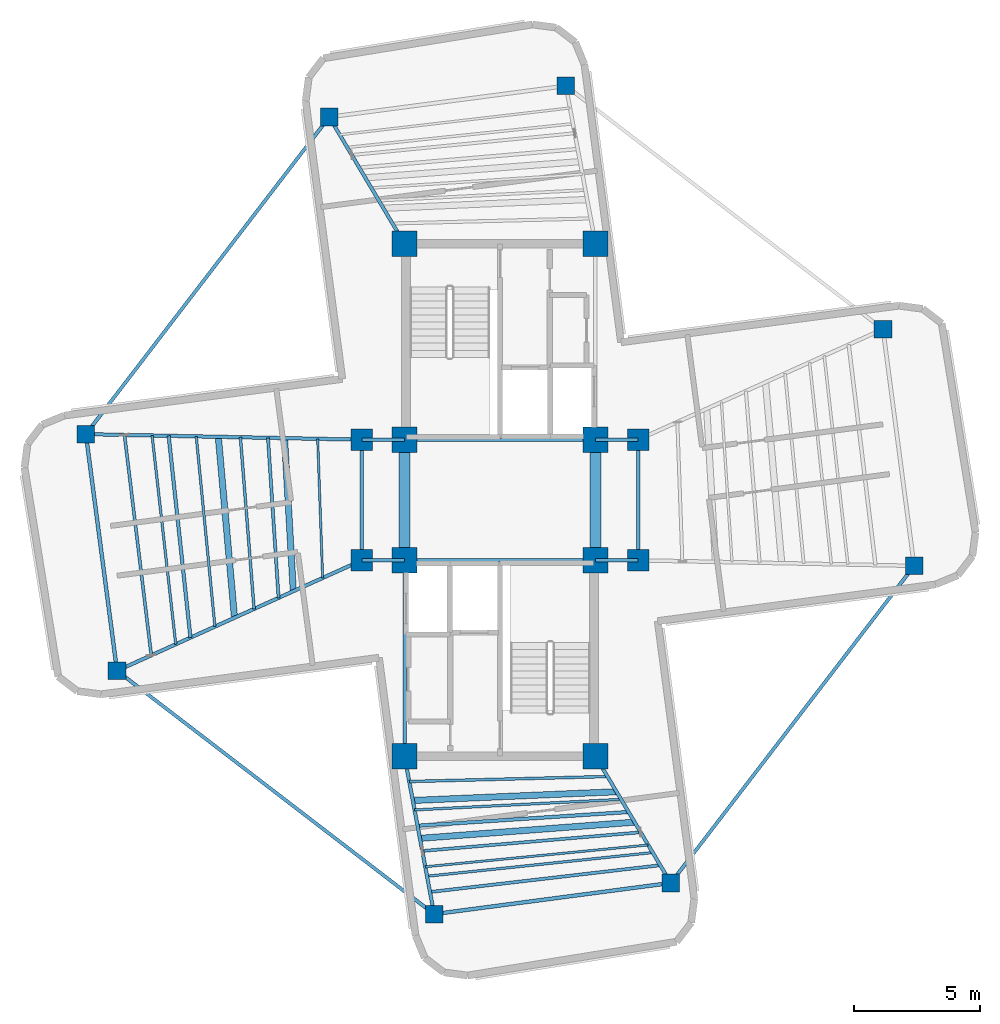
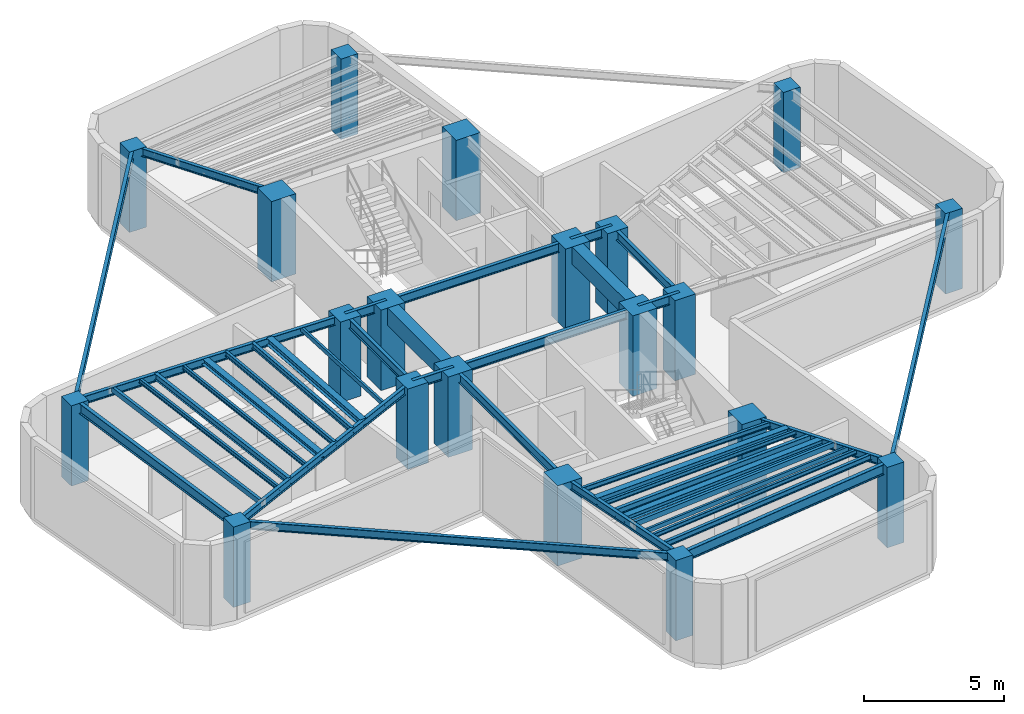
# One storey, part 1 of 6: 39 beams, 20 columns.
"""IFC4 building model written with IfcOpenShell, lengths in metres."""

from ifc_helpers import new_model, si_unit, direction, frame, origin, origin_2d, place, context, subcontext, project, spatial, rectangle, hollow_rectangle, i_section, extrude, source, transform, mapped, material, material_profile, profile_set, type_object, element, save


model = new_model("IFC4")

# Units and contexts
model_context = context("Model", 3, precision=1e-05, world=origin(), true_north=direction((0.0, 1.0)))
body_context = subcontext(model_context, "Body", "Model", "MODEL_VIEW")
ifc_project = project(units=[si_unit("LENGTHUNIT", "METRE"), si_unit("AREAUNIT", "SQUARE_METRE"), si_unit("VOLUMEUNIT", "CUBIC_METRE"), si_unit("PLANEANGLEUNIT", "RADIAN"), si_unit("MASSUNIT", "GRAM", prefix="KILO")], contexts=[model_context])

# Site, building, storey
site_placement = place(None, origin())
site = spatial("IfcSite", under=ifc_project, at=site_placement, CompositionType="ELEMENT")
building_placement = place(site_placement, origin())
building = spatial("IfcBuilding", under=site, at=building_placement, Name="Sahyath Konkavel Grand Hotel", CompositionType="ELEMENT")
storey_placement = place(building_placement, frame((0.0, 0.0, 296.5)))
storey = spatial("IfcBuildingStorey", under=building, at=storey_placement, Name="L82", CompositionType="ELEMENT", Elevation=296.5)

# Columns
ifc_material_1 = material(Name="Concrete C50/60", Category="concrete")
ifc_material_profile_1 = material_profile(ifc_material_1, rectangle(XDim=1.0, YDim=1.0, at=origin_2d()), Name="RC 1000x1000")
ifc_profile_set_1 = profile_set([ifc_material_profile_1], Name="Concrete C50/60")
column_type_1 = type_object("IfcColumnType", Name="COL-RC1000", PredefinedType="COLUMN", material=ifc_profile_set_1)
shared_shape_1 = source(origin(), body_context, "Body", "SweptSolid", [
    extrude(rectangle(XDim=1.0, YDim=1.0, at=origin_2d()), origin(), (0.0, 0.0, 1.0), 3.5),
])
for number, where, z_axis, x_axis, name in (
    (1, (-3.800048828125, 2.39990234375, 0.0), (0.0, 0.0, 1.0), (1.0, 0.0, 0.0), "L82 Core Boundary Column NC-SW"),
    (2, (3.800048828125, 2.39990234375, 0.0), (0.0, 0.0, 1.0), (1.0, 0.0, 0.0), "L82 Core Boundary Column NC-SE"),
    (3, (-3.800048828125, 10.199951171875, 0.0), (0.0, 0.0, 1.0), (1.0, 0.0, 0.0), "L82 Core Boundary Column NC-NW"),
    (4, (3.800048828125, 10.199951171875, 0.0), (0.0, 0.0, 1.0), (1.0, 0.0, 0.0), "L82 Core Boundary Column NC-NE"),
    (5, (-3.800048828125, -2.39990234375, 0.0), (0.0, 0.0, 1.0), (1.0, 0.0, 0.0), "L82 Core Boundary Column SC-NW"),
    (6, (3.800048828125, -2.39990234375, 0.0), (0.0, 0.0, 1.0), (1.0, 0.0, 0.0), "L82 Core Boundary Column SC-NE"),
    (7, (-3.800048828125, -10.199951171875, 0.0), (0.0, 0.0, 1.0), (1.0, 0.0, 0.0), "L82 Core Boundary Column SC-SW"),
    (8, (3.800048828125, -10.199951171875, 0.0), (0.0, 0.0, 1.0), (1.0, 0.0, 0.0), "L82 Core Boundary Column SC-SE"),
):
    element("IfcColumn", number, at=place(storey_placement, frame(where, z_axis=z_axis, x_axis=x_axis)), inside=storey, type_object=column_type_1, Name=name, PredefinedType="COLUMN", context=body_context, shape_type="MappedRepresentation", body=[
        mapped(shared_shape_1, transform((0.0, 0.0, 0.0), scale=1.0)),
    ])
ifc_material_2 = material(Name="Concrete C40/50", Category="concrete")
ifc_material_profile_2 = material_profile(ifc_material_2, rectangle(XDim=0.85009765625, YDim=0.85009765625, at=origin_2d()), Name="RC 850x850")
ifc_profile_set_2 = profile_set([ifc_material_profile_2], Name="Concrete C40/50")
column_type_2 = type_object("IfcColumnType", Name="COL-RC850", PredefinedType="COLUMN", material=ifc_profile_set_2)
shared_shape_2 = source(origin(), body_context, "Body", "SweptSolid", [
    extrude(rectangle(XDim=0.85009765625, YDim=0.85009765625, at=origin_2d()), origin(), (0.0, 0.0, 1.0), 3.5),
])
for number, where, z_axis, x_axis, name in (
    (9, (5.5, 2.39990234375, 0.0), (0.0, 0.0, 1.0), (1.0, 0.0, 0.0), "L82 Central Spine Column HB-NE"),
    (10, (-5.5, 2.39990234375, 0.0), (0.0, 0.0, 1.0), (1.0, 0.0, 0.0), "L82 Central Spine Column HB-NW"),
    (11, (5.5, -2.39990234375, 0.0), (0.0, 0.0, 1.0), (1.0, 0.0, 0.0), "L82 Central Spine Column HB-SE"),
    (12, (-5.5, -2.39990234375, 0.0), (0.0, 0.0, 1.0), (1.0, 0.0, 0.0), "L82 Central Spine Column HB-SW"),
):
    element("IfcColumn", number, at=place(storey_placement, frame(where, z_axis=z_axis, x_axis=x_axis)), inside=storey, type_object=column_type_2, Name=name, PredefinedType="COLUMN", context=body_context, shape_type="MappedRepresentation", body=[
        mapped(shared_shape_2, transform((0.0, 0.0, 0.0), scale=1.0)),
    ])
ifc_material_profile_3 = material_profile(ifc_material_2, rectangle(XDim=0.699951171875, YDim=0.699951171875, at=origin_2d()), Name="RC 700x700")
ifc_profile_set_3 = profile_set([ifc_material_profile_3], Name="Concrete C40/50")
column_type_3 = type_object("IfcColumnType", Name="COL-RC700", PredefinedType="COLUMN", material=ifc_profile_set_3)
shared_shape_3 = source(origin(), body_context, "Body", "SweptSolid", [
    extrude(rectangle(XDim=0.699951171875, YDim=0.699951171875, at=origin_2d()), origin(), (0.0, 0.0, 1.0), 3.5),
])
for number, where, z_axis, x_axis, name in (
    (13, (16.483154296875, -2.620849609375, 0.0), (0.0, 0.0, 1.0), (1.0, 0.0, 0.0), "L82 Cruciform Wing Column WC-EA"),
    (14, (15.2431640625, 6.7978515625, 0.0), (0.0, 0.0, 1.0), (1.0, 0.0, 0.0), "L82 Cruciform Wing Column WC-EB"),
    (15, (2.620849609375, 16.483154296875, 0.0), (0.0, 0.0, 1.0), (1.0, 0.0, 0.0), "L82 Cruciform Wing Column WC-NA"),
    (16, (-6.7978515625, 15.2431640625, 0.0), (0.0, 0.0, 1.0), (1.0, 0.0, 0.0), "L82 Cruciform Wing Column WC-NB"),
    (17, (-16.483154296875, 2.620849609375, 0.0), (0.0, 0.0, 1.0), (1.0, 0.0, 0.0), "L82 Cruciform Wing Column WC-WA"),
    (18, (-15.2431640625, -6.7978515625, 0.0), (0.0, 0.0, 1.0), (1.0, 0.0, 0.0), "L82 Cruciform Wing Column WC-WB"),
    (19, (-2.620849609375, -16.483154296875, 0.0), (0.0, 0.0, 1.0), (1.0, 0.0, 0.0), "L82 Cruciform Wing Column WC-SA"),
    (20, (6.7978515625, -15.2431640625, 0.0), (0.0, 0.0, 1.0), (1.0, 0.0, 0.0), "L82 Cruciform Wing Column WC-SB"),
):
    element("IfcColumn", number, at=place(storey_placement, frame(where, z_axis=z_axis, x_axis=x_axis)), inside=storey, type_object=column_type_3, Name=name, PredefinedType="COLUMN", context=body_context, shape_type="MappedRepresentation", body=[
        mapped(shared_shape_3, transform((0.0, 0.0, 0.0), scale=1.0)),
    ])

# Beams
ifc_material_3 = material(Name="Steel E350", Category="steel")
ifc_material_profile_4 = material_profile(ifc_material_3, i_section(OverallWidth=0.139892578125, OverallDepth=0.39990234375, WebThickness=0.0087890625, FlangeThickness=0.01611328125, FilletRadius=0.013916015625, at=origin_2d()), Name="ISMB 400")
ifc_profile_set_4 = profile_set([ifc_material_profile_4], Name="Steel E350")
beam_type_1 = type_object("IfcBeamType", Name="BM-ISMB400", PredefinedType="BEAM", material=ifc_profile_set_4)
shared_shape_4 = source(origin(), body_context, "Body", "SweptSolid", [
    extrude(i_section(OverallWidth=0.139892578125, OverallDepth=0.39990234375, WebThickness=0.0087890625, FlangeThickness=0.01611328125, FilletRadius=0.013916015625, at=origin_2d()), origin(), (0.0, 0.0, 1.0), 7.60009765625),
])
for number, where, z_axis, x_axis, name in (
    (21, (-3.800048828125, 2.39990234375, 3.300048828125), (1.0, 0.0, 0.0), (0.0, 1.0, 0.0), "str:bm:L82:NC-S"),
    (22, (-3.800048828125, -2.39990234375, 3.300048828125), (1.0, 0.0, 0.0), (0.0, 1.0, 0.0), "str:bm:L82:SC-N"),
):
    element("IfcBeam", number, at=place(storey_placement, frame(where, z_axis=z_axis, x_axis=x_axis)), inside=storey, type_object=beam_type_1, Name=name, PredefinedType="BEAM", context=body_context, shape_type="MappedRepresentation", body=[
        mapped(shared_shape_4, transform((0.0, 0.0, 0.0), scale=1.0)),
    ])
shared_shape_5 = source(origin(), body_context, "Body", "SweptSolid", [
    extrude(i_section(OverallWidth=0.139892578125, OverallDepth=0.39990234375, WebThickness=0.0087890625, FlangeThickness=0.01611328125, FilletRadius=0.013916015625, at=origin_2d()), origin(), (0.0, 0.0, 1.0), 7.800048828125),
])
beam_1_placement = place(storey_placement, frame((-3.800048828125, -10.199951171875, 3.300048828125), z_axis=(0.0, 1.0, 0.0), x_axis=(-1.0, 0.0, 0.0)))
element("IfcBeam", 23, at=beam_1_placement, inside=storey, type_object=beam_type_1, Name="str:bm:L82:SC-W", PredefinedType="BEAM", context=body_context, shape_type="MappedRepresentation", body=[
    mapped(shared_shape_5, transform((0.0, 0.0, 0.0), scale=1.0)),
])
shared_shape_6 = source(origin(), body_context, "Body", "SweptSolid", [
    extrude(i_section(OverallWidth=0.139892578125, OverallDepth=0.39990234375, WebThickness=0.0087890625, FlangeThickness=0.01611328125, FilletRadius=0.013916015625, at=origin_2d()), origin(), (0.0, 0.0, 1.0), 1.699951171875),
])
for number, where, z_axis, x_axis, name in (
    (24, (-5.5, 2.39990234375, 3.300048828125), (1.0, 0.0, 0.0), (0.0, 1.0, 0.0), "str:bm:L82:HB-NW"),
    (25, (3.800048828125, 2.39990234375, 3.300048828125), (1.0, 0.0, 0.0), (0.0, 1.0, 0.0), "str:bm:L82:HB-NE"),
    (26, (-5.5, -2.39990234375, 3.300048828125), (1.0, 0.0, 0.0), (0.0, 1.0, 0.0), "str:bm:L82:HB-SW"),
    (27, (3.800048828125, -2.39990234375, 3.300048828125), (1.0, 0.0, 0.0), (0.0, 1.0, 0.0), "str:bm:L82:HB-SE"),
):
    element("IfcBeam", number, at=place(storey_placement, frame(where, z_axis=z_axis, x_axis=x_axis)), inside=storey, type_object=beam_type_1, Name=name, PredefinedType="BEAM", context=body_context, shape_type="MappedRepresentation", body=[
        mapped(shared_shape_6, transform((0.0, 0.0, 0.0), scale=1.0)),
    ])
shared_shape_7 = source(origin(), body_context, "Body", "SweptSolid", [
    extrude(i_section(OverallWidth=0.139892578125, OverallDepth=0.39990234375, WebThickness=0.0087890625, FlangeThickness=0.01611328125, FilletRadius=0.013916015625, at=origin_2d()), origin(), (0.0, 0.0, 1.0), 4.7998046875),
])
for number, where, z_axis, x_axis, name in (
    (28, (5.5, -2.39990234375, 3.300048828125), (0.0, 1.0, 0.0), (-1.0, 0.0, 0.0), "str:bm:L82:HB-E"),
    (29, (-5.5, -2.39990234375, 3.300048828125), (0.0, 1.0, 0.0), (-1.0, 0.0, 0.0), "str:bm:L82:HB-W"),
):
    element("IfcBeam", number, at=place(storey_placement, frame(where, z_axis=z_axis, x_axis=x_axis)), inside=storey, type_object=beam_type_1, Name=name, PredefinedType="BEAM", context=body_context, shape_type="MappedRepresentation", body=[
        mapped(shared_shape_7, transform((0.0, 0.0, 0.0), scale=1.0)),
    ])
ifc_material_profile_5 = material_profile(ifc_material_2, rectangle(XDim=0.449951171875, YDim=0.75, at=origin_2d()), Name="RC 450x750")
ifc_profile_set_5 = profile_set([ifc_material_profile_5], Name="Concrete C40/50")
beam_type_2 = type_object("IfcBeamType", Name="BM-CB450x750", PredefinedType="LINTEL", material=ifc_profile_set_5)
shared_shape_8 = source(origin(), body_context, "Body", "SweptSolid", [
    extrude(rectangle(XDim=0.449951171875, YDim=0.75, at=origin_2d()), origin(), (0.0, 0.0, 1.0), 4.7998046875),
])
for number, where, z_axis, x_axis, name in (
    (30, (-3.800048828125, -2.39990234375, 3.125), (0.0, 1.0, 0.0), (-1.0, 0.0, 0.0), "L82 Split-Core Coupling Beam West"),
    (31, (3.800048828125, -2.39990234375, 3.125), (0.0, 1.0, 0.0), (-1.0, 0.0, 0.0), "L82 Split-Core Coupling Beam East"),
):
    element("IfcBeam", number, at=place(storey_placement, frame(where, z_axis=z_axis, x_axis=x_axis)), inside=storey, type_object=beam_type_2, Name=name, PredefinedType="LINTEL", context=body_context, shape_type="MappedRepresentation", body=[
        mapped(shared_shape_8, transform((0.0, 0.0, 0.0), scale=1.0)),
    ])
ifc_material_profile_6 = material_profile(ifc_material_3, i_section(OverallWidth=0.14990234375, OverallDepth=0.449951171875, WebThickness=0.009521484375, FlangeThickness=0.017333984375, FilletRadius=0.014892578125, at=origin_2d()), Name="ISMB 450")
ifc_profile_set_6 = profile_set([ifc_material_profile_6], Name="Steel E350")
beam_type_3 = type_object("IfcBeamType", Name="BM-ISMB450", PredefinedType="BEAM", material=ifc_profile_set_6)
shared_shape_9 = source(origin(), body_context, "Body", "SweptSolid", [
    extrude(i_section(OverallWidth=0.14990234375, OverallDepth=0.449951171875, WebThickness=0.009521484375, FlangeThickness=0.017333984375, FilletRadius=0.014892578125, at=origin_2d()), origin(), (0.0, 0.0, 1.0), 9.5),
])
for number, where, z_axis, x_axis, name in (
    (32, (-16.483154296875, 2.620849609375, 3.27490234375), (0.130525643939, -0.991444933556, 0.0), (0.991444933556, 0.130525643939, 0.0), "L82 Wing Tip Edge Beam W"),
    (33, (-2.620849609375, -16.483154296875, 3.27490234375), (0.991444933556, 0.130525643939, 0.0), (-0.130525643939, 0.991444933556, 0.0), "L82 Wing Tip Edge Beam S"),
):
    element("IfcBeam", number, at=place(storey_placement, frame(where, z_axis=z_axis, x_axis=x_axis)), inside=storey, type_object=beam_type_3, Name=name, PredefinedType="BEAM", context=body_context, shape_type="MappedRepresentation", body=[
        mapped(shared_shape_9, transform((0.0, 0.0, 0.0), scale=1.0)),
    ])
ifc_material_profile_7 = material_profile(ifc_material_3, i_section(OverallWidth=0.139892578125, OverallDepth=0.35009765625, WebThickness=0.008056640625, FlangeThickness=0.01416015625, FilletRadius=0.013916015625, at=origin_2d()), Name="ISMB 350")
ifc_profile_set_7 = profile_set([ifc_material_profile_7], Name="Steel E350")
beam_type_4 = type_object("IfcBeamType", Name="BM-ISMB350", PredefinedType="BEAM", material=ifc_profile_set_7)
shared_shape_10 = source(origin(), body_context, "Body", "SweptSolid", [
    extrude(i_section(OverallWidth=0.139892578125, OverallDepth=0.35009765625, WebThickness=0.008056640625, FlangeThickness=0.01416015625, FilletRadius=0.013916015625, at=origin_2d()), origin(), (0.0, 0.0, 1.0), 10.9853515625),
])
beam_2_placement = place(storey_placement, frame((-5.5, 2.39990234375, 3.324951171875), z_axis=(-0.999797716106, 0.020112853337, 0.0), x_axis=(-0.020112853337, -0.999797716106, 0.0)))
element("IfcBeam", 34, at=beam_2_placement, inside=storey, type_object=beam_type_4, Name="L82 Cruciform Radial Girder WA", PredefinedType="BEAM", context=body_context, shape_type="MappedRepresentation", body=[
    mapped(shared_shape_10, transform((0.0, 0.0, 0.0), scale=1.0)),
])
shared_shape_11 = source(origin(), body_context, "Body", "SweptSolid", [
    extrude(i_section(OverallWidth=0.139892578125, OverallDepth=0.35009765625, WebThickness=0.008056640625, FlangeThickness=0.01416015625, FilletRadius=0.013916015625, at=origin_2d()), origin(), (0.0, 0.0, 1.0), 10.689697265625),
])
beam_3_placement = place(storey_placement, frame((-5.5, -2.39990234375, 3.324951171875), z_axis=(-0.911447410295, -0.411416599405, 0.0), x_axis=(0.411416599405, -0.911447410295, 0.0)))
element("IfcBeam", 35, at=beam_3_placement, inside=storey, type_object=beam_type_4, Name="L82 Cruciform Radial Girder WB", PredefinedType="BEAM", context=body_context, shape_type="MappedRepresentation", body=[
    mapped(shared_shape_11, transform((0.0, 0.0, 0.0), scale=1.0)),
])
shared_shape_12 = source(origin(), body_context, "Body", "SweptSolid", [
    extrude(i_section(OverallWidth=0.139892578125, OverallDepth=0.35009765625, WebThickness=0.008056640625, FlangeThickness=0.01416015625, FilletRadius=0.013916015625, at=origin_2d()), origin(), (0.0, 0.0, 1.0), 6.392822265625),
])
beam_4_placement = place(storey_placement, frame((-3.800048828125, -10.199951171875, 3.324951171875), z_axis=(0.184454547999, -0.982841044993, 0.0), x_axis=(0.982841044993, 0.184454547999, 0.0)))
element("IfcBeam", 36, at=beam_4_placement, inside=storey, type_object=beam_type_4, Name="L82 Cruciform Radial Girder SA", PredefinedType="BEAM", context=body_context, shape_type="MappedRepresentation", body=[
    mapped(shared_shape_12, transform((0.0, 0.0, 0.0), scale=1.0)),
])
shared_shape_13 = source(origin(), body_context, "Body", "SweptSolid", [
    extrude(i_section(OverallWidth=0.139892578125, OverallDepth=0.35009765625, WebThickness=0.008056640625, FlangeThickness=0.01416015625, FilletRadius=0.013916015625, at=origin_2d()), origin(), (0.0, 0.0, 1.0), 5.866943359375),
])
for number, where, z_axis, x_axis, name in (
    (37, (-3.800048828125, 10.199951171875, 3.324951171875), (-0.510966539123, 0.859600602546, 0.0), (-0.859600602546, -0.510966539123, 0.0), "L82 Cruciform Radial Girder NB"),
    (38, (3.800048828125, -10.199951171875, 3.324951171875), (0.510966539123, -0.859600602546, 0.0), (0.859600602546, 0.510966539123, 0.0), "L82 Cruciform Radial Girder SB"),
):
    element("IfcBeam", number, at=place(storey_placement, frame(where, z_axis=z_axis, x_axis=x_axis)), inside=storey, type_object=beam_type_4, Name=name, PredefinedType="BEAM", context=body_context, shape_type="MappedRepresentation", body=[
        mapped(shared_shape_13, transform((0.0, 0.0, 0.0), scale=1.0)),
    ])
shared_shape_14 = source(origin(), body_context, "Body", "SweptSolid", [
    extrude(i_section(OverallWidth=0.139892578125, OverallDepth=0.35009765625, WebThickness=0.008056640625, FlangeThickness=0.01416015625, FilletRadius=0.013916015625, at=origin_2d()), origin(), (0.0, 0.0, 1.0), 15.909912109375),
])
for number, where, z_axis, x_axis, name in (
    (39, (-6.7978515625, 15.2431640625, 3.324951171875), (-0.608755898564, -0.79335758392, 0.0), (0.79335758392, -0.608755898564, 0.0), "L82 Re-Entrant Tie Beam NW"),
    (40, (-15.2431640625, -6.7978515625, 3.324951171875), (0.79335758392, -0.608755898564, 0.0), (0.608755898564, 0.79335758392, 0.0), "L82 Re-Entrant Tie Beam SW"),
    (41, (16.483154296875, -2.620849609375, 3.324951171875), (-0.608755898564, -0.79335758392, 0.0), (0.79335758392, -0.608755898564, 0.0), "L82 Re-Entrant Tie Beam SE"),
):
    element("IfcBeam", number, at=place(storey_placement, frame(where, z_axis=z_axis, x_axis=x_axis)), inside=storey, type_object=beam_type_4, Name=name, PredefinedType="BEAM", context=body_context, shape_type="MappedRepresentation", body=[
        mapped(shared_shape_14, transform((0.0, 0.0, 0.0), scale=1.0)),
    ])
ifc_material_profile_8 = material_profile(ifc_material_3, i_section(OverallWidth=0.25, OverallDepth=0.300048828125, WebThickness=0.009521484375, FlangeThickness=0.010498046875, FilletRadius=0.010986328125, at=origin_2d()), Name="ISHB 300")
ifc_profile_set_8 = profile_set([ifc_material_profile_8], Name="Steel E350")
beam_type_5 = type_object("IfcBeamType", Name="BM-ISHB300", PredefinedType="BEAM", material=ifc_profile_set_8)
shared_shape_15 = source(origin(), body_context, "Body", "SweptSolid", [
    extrude(i_section(OverallWidth=0.25, OverallDepth=0.300048828125, WebThickness=0.009521484375, FlangeThickness=0.010498046875, FilletRadius=0.010986328125, at=origin_2d()), origin(), (0.0, 0.0, 1.0), 6.10302734375),
])
beam_5_placement = place(storey_placement, frame((-8.5751953125, 2.4619140625, 3.35009765625), z_axis=(0.056883465537, -0.99838082481, 0.0), x_axis=(0.99838082481, 0.056883465537, 0.0)))
element("IfcBeam", 42, at=beam_5_placement, inside=storey, type_object=beam_type_5, Name="L82 Secondary Floor Beam W-1", PredefinedType="BEAM", context=body_context, shape_type="MappedRepresentation", body=[
    mapped(shared_shape_15, transform((0.0, 0.0, 0.0), scale=1.0)),
])
ifc_material_profile_9 = material_profile(ifc_material_3, i_section(OverallWidth=0.25, OverallDepth=0.25, WebThickness=0.0087890625, FlangeThickness=0.009765625, FilletRadius=0.010009765625, at=origin_2d()), Name="ISHB 250")
ifc_profile_set_9 = profile_set([ifc_material_profile_9], Name="Steel E350")
beam_type_6 = type_object("IfcBeamType", Name="BM-ISHB250", PredefinedType="BEAM", material=ifc_profile_set_9)
shared_shape_16 = source(origin(), body_context, "Body", "SweptSolid", [
    extrude(i_section(OverallWidth=0.25, OverallDepth=0.25, WebThickness=0.0087890625, FlangeThickness=0.009765625, FilletRadius=0.010009765625, at=origin_2d()), origin(), (0.0, 0.0, 1.0), 7.230712890625),
])
beam_6_placement = place(storey_placement, frame((-11.211181640625, 2.514892578125, 3.375), z_axis=(0.089171800482, -0.996016259907, 0.0), x_axis=(0.996016259907, 0.089171800482, 0.0)))
element("IfcBeam", 43, at=beam_6_placement, inside=storey, type_object=beam_type_6, Name="L82 Secondary Floor Beam W-2", PredefinedType="BEAM", context=body_context, shape_type="MappedRepresentation", body=[
    mapped(shared_shape_16, transform((0.0, 0.0, 0.0), scale=1.0)),
])
ifc_material_profile_10 = material_profile(ifc_material_3, i_section(OverallWidth=0.10009765625, OverallDepth=0.199951171875, WebThickness=0.005615234375, FlangeThickness=0.0107421875, FilletRadius=0.010986328125, at=origin_2d()), Name="ISMB 200")
ifc_profile_set_10 = profile_set([ifc_material_profile_10], Name="Steel E350")
beam_type_7 = type_object("IfcBeamType", Name="BM-ISMB200", PredefinedType="BEAM", material=ifc_profile_set_10)
shared_shape_17 = source(origin(), body_context, "Body", "SweptSolid", [
    extrude(i_section(OverallWidth=0.10009765625, OverallDepth=0.199951171875, WebThickness=0.005615234375, FlangeThickness=0.0107421875, FilletRadius=0.010986328125, at=origin_2d()), origin(), (0.0, 0.0, 1.0), 8.36328125),
])
beam_7_placement = place(storey_placement, frame((-13.84716796875, 2.56787109375, 3.39990234375), z_axis=(0.112680437677, -0.99363127918, 0.0), x_axis=(0.99363127918, 0.112680437677, 0.0)))
element("IfcBeam", 44, at=beam_7_placement, inside=storey, type_object=beam_type_7, Name="L82 Secondary Floor Beam W-3", PredefinedType="BEAM", context=body_context, shape_type="MappedRepresentation", body=[
    mapped(shared_shape_17, transform((0.0, 0.0, 0.0), scale=1.0)),
])
shared_shape_18 = source(origin(), body_context, "Body", "SweptSolid", [
    extrude(i_section(OverallWidth=0.25, OverallDepth=0.300048828125, WebThickness=0.009521484375, FlangeThickness=0.010498046875, FilletRadius=0.010986328125, at=origin_2d()), origin(), (0.0, 0.0, 1.0), 8.11669921875),
])
beam_8_placement = place(storey_placement, frame((-3.469970703125, -11.959228515625, 3.35009765625), z_axis=(0.999084879956, 0.042771516718, 0.0), x_axis=(-0.042771516718, 0.999084879956, 0.0)))
element("IfcBeam", 45, at=beam_8_placement, inside=storey, type_object=beam_type_5, Name="L82 Secondary Floor Beam S-1", PredefinedType="BEAM", context=body_context, shape_type="MappedRepresentation", body=[
    mapped(shared_shape_18, transform((0.0, 0.0, 0.0), scale=1.0)),
])
shared_shape_19 = source(origin(), body_context, "Body", "SweptSolid", [
    extrude(i_section(OverallWidth=0.25, OverallDepth=0.25, WebThickness=0.0087890625, FlangeThickness=0.009765625, FilletRadius=0.010009765625, at=origin_2d()), origin(), (0.0, 0.0, 1.0), 8.570068359375),
])
beam_9_placement = place(storey_placement, frame((-3.18701171875, -13.46728515625, 3.375), z_axis=(0.997165854664, 0.075234688098, 0.0), x_axis=(-0.075234688098, 0.997165854664, 0.0)))
element("IfcBeam", 46, at=beam_9_placement, inside=storey, type_object=beam_type_6, Name="L82 Secondary Floor Beam S-2", PredefinedType="BEAM", context=body_context, shape_type="MappedRepresentation", body=[
    mapped(shared_shape_19, transform((0.0, 0.0, 0.0), scale=1.0)),
])
shared_shape_20 = source(origin(), body_context, "Body", "SweptSolid", [
    extrude(i_section(OverallWidth=0.10009765625, OverallDepth=0.199951171875, WebThickness=0.005615234375, FlangeThickness=0.0107421875, FilletRadius=0.010986328125, at=origin_2d()), origin(), (0.0, 0.0, 1.0), 9.031494140625),
])
beam_10_placement = place(storey_placement, frame((-2.90380859375, -14.97509765625, 3.39990234375), z_axis=(0.994541240043, 0.104344246869, 0.0), x_axis=(-0.104344246869, 0.994541240043, 0.0)))
element("IfcBeam", 47, at=beam_10_placement, inside=storey, type_object=beam_type_7, Name="L82 Secondary Floor Beam S-3", PredefinedType="BEAM", context=body_context, shape_type="MappedRepresentation", body=[
    mapped(shared_shape_20, transform((0.0, 0.0, 0.0), scale=1.0)),
])
ifc_material_profile_11 = material_profile(ifc_material_3, hollow_rectangle(XDim=0.090087890625, YDim=0.179931640625, WallThickness=0.008056640625, at=origin_2d()), Name="RHS 180x90x8")
ifc_profile_set_11 = profile_set([ifc_material_profile_11], Name="Steel E350")
beam_type_8 = type_object("IfcBeamType", Name="BM-RHS180", PredefinedType="BEAM", material=ifc_profile_set_11)
shared_shape_21 = source(origin(), body_context, "Body", "SweptSolid", [
    extrude(hollow_rectangle(XDim=0.090087890625, YDim=0.179931640625, WallThickness=0.008056640625, at=origin_2d()), origin(), (0.0, 0.0, 1.0), 5.54248046875),
])
beam_11_placement = place(storey_placement, frame((-7.25732421875, 2.435302734375, 3.409912109375), z_axis=(0.035812512973, -0.999358526213, 0.0), x_axis=(0.999358526213, 0.035812512973, 0.0)))
element("IfcBeam", 48, at=beam_11_placement, inside=storey, type_object=beam_type_8, Name="L82 Composite Deck Sub-Beam W-1", PredefinedType="BEAM", context=body_context, shape_type="MappedRepresentation", body=[
    mapped(shared_shape_21, transform((0.0, 0.0, 0.0), scale=1.0)),
])
ifc_material_profile_12 = material_profile(ifc_material_3, i_section(OverallWidth=0.125, OverallDepth=0.25, WebThickness=0.0068359375, FlangeThickness=0.012451171875, FilletRadius=0.012939453125, at=origin_2d()), Name="ISMB 250")
ifc_profile_set_12 = profile_set([ifc_material_profile_12], Name="Steel E350")
beam_type_9 = type_object("IfcBeamType", Name="BM-ISMB250", PredefinedType="BEAM", material=ifc_profile_set_12)
shared_shape_22 = source(origin(), body_context, "Body", "SweptSolid", [
    extrude(i_section(OverallWidth=0.125, OverallDepth=0.25, WebThickness=0.0068359375, FlangeThickness=0.012451171875, FilletRadius=0.012939453125, at=origin_2d()), origin(), (0.0, 0.0, 1.0), 6.38427734375),
])
beam_12_placement = place(storey_placement, frame((-9.234375, 2.47509765625, 3.375), z_axis=(0.066041839115, -0.997816854681, 0.0), x_axis=(0.997816854681, 0.066041839115, 0.0)))
element("IfcBeam", 49, at=beam_12_placement, inside=storey, type_object=beam_type_9, Name="L82 Composite Deck Sub-Beam W-2", PredefinedType="BEAM", context=body_context, shape_type="MappedRepresentation", body=[
    mapped(shared_shape_22, transform((0.0, 0.0, 0.0), scale=1.0)),
])
ifc_material_profile_13 = material_profile(ifc_material_3, i_section(OverallWidth=0.110107421875, OverallDepth=0.22509765625, WebThickness=0.006591796875, FlangeThickness=0.01171875, FilletRadius=0.011962890625, at=origin_2d()), Name="ISMB 225")
ifc_profile_set_13 = profile_set([ifc_material_profile_13], Name="Steel E350")
beam_type_10 = type_object("IfcBeamType", Name="BM-ISMB225", PredefinedType="BEAM", material=ifc_profile_set_13)
shared_shape_23 = source(origin(), body_context, "Body", "SweptSolid", [
    extrude(i_section(OverallWidth=0.110107421875, OverallDepth=0.22509765625, WebThickness=0.006591796875, FlangeThickness=0.01171875, FilletRadius=0.011962890625, at=origin_2d()), origin(), (0.0, 0.0, 1.0), 6.85400390625),
])
beam_13_placement = place(storey_placement, frame((-10.33251953125, 2.497314453125, 3.387451171875), z_axis=(0.079575331875, -0.996828855199, 0.0), x_axis=(0.996828855199, 0.079575331875, 0.0)))
element("IfcBeam", 50, at=beam_13_placement, inside=storey, type_object=beam_type_10, Name="L82 Composite Deck Sub-Beam W-3", PredefinedType="BEAM", context=body_context, shape_type="MappedRepresentation", body=[
    mapped(shared_shape_23, transform((0.0, 0.0, 0.0), scale=1.0)),
])
shared_shape_24 = source(origin(), body_context, "Body", "SweptSolid", [
    extrude(i_section(OverallWidth=0.10009765625, OverallDepth=0.199951171875, WebThickness=0.005615234375, FlangeThickness=0.0107421875, FilletRadius=0.010986328125, at=origin_2d()), origin(), (0.0, 0.0, 1.0), 7.607666015625),
])
beam_14_placement = place(storey_placement, frame((-12.08984375, 2.532470703125, 3.39990234375), z_axis=(0.09778145576, -0.995207911398, 0.0), x_axis=(0.995207911398, 0.09778145576, 0.0)))
element("IfcBeam", 51, at=beam_14_placement, inside=storey, type_object=beam_type_7, Name="L82 Composite Deck Sub-Beam W-4", PredefinedType="BEAM", context=body_context, shape_type="MappedRepresentation", body=[
    mapped(shared_shape_24, transform((0.0, 0.0, 0.0), scale=1.0)),
])
ifc_material_profile_14 = material_profile(ifc_material_3, i_section(OverallWidth=0.139892578125, OverallDepth=0.27490234375, WebThickness=0.00634765625, FlangeThickness=0.0087890625, FilletRadius=0.012939453125, at=origin_2d()), Name="ISLB 275")
ifc_profile_set_14 = profile_set([ifc_material_profile_14], Name="Steel E350")
beam_type_11 = type_object("IfcBeamType", Name="BM-ISLB275", PredefinedType="BEAM", material=ifc_profile_set_14)
shared_shape_25 = source(origin(), body_context, "Body", "SweptSolid", [
    extrude(i_section(OverallWidth=0.139892578125, OverallDepth=0.27490234375, WebThickness=0.00634765625, FlangeThickness=0.0087890625, FilletRadius=0.012939453125, at=origin_2d()), origin(), (0.0, 0.0, 1.0), 8.079833984375),
])
beam_15_placement = place(storey_placement, frame((-13.188232421875, 2.5546875, 3.362548828125), z_axis=(0.107416459243, -0.994214113903, 0.0), x_axis=(0.994214113903, 0.107416459243, 0.0)))
element("IfcBeam", 52, at=beam_15_placement, inside=storey, type_object=beam_type_11, Name="L82 Composite Deck Sub-Beam W-5", PredefinedType="BEAM", context=body_context, shape_type="MappedRepresentation", body=[
    mapped(shared_shape_25, transform((0.0, 0.0, 0.0), scale=1.0)),
])
shared_shape_26 = source(origin(), body_context, "Body", "SweptSolid", [
    extrude(i_section(OverallWidth=0.110107421875, OverallDepth=0.22509765625, WebThickness=0.006591796875, FlangeThickness=0.01171875, FilletRadius=0.011962890625, at=origin_2d()), origin(), (0.0, 0.0, 1.0), 7.893310546875),
])
beam_16_placement = place(storey_placement, frame((-3.611328125, -11.205322265625, 3.387451171875), z_axis=(0.999683790083, 0.025145970772, 0.0), x_axis=(-0.025145970772, 0.999683790083, 0.0)))
element("IfcBeam", 53, at=beam_16_placement, inside=storey, type_object=beam_type_10, Name="L82 Composite Deck Sub-Beam S-1", PredefinedType="BEAM", context=body_context, shape_type="MappedRepresentation", body=[
    mapped(shared_shape_26, transform((0.0, 0.0, 0.0), scale=1.0)),
])
shared_shape_27 = source(origin(), body_context, "Body", "SweptSolid", [
    extrude(i_section(OverallWidth=0.139892578125, OverallDepth=0.27490234375, WebThickness=0.00634765625, FlangeThickness=0.0087890625, FilletRadius=0.012939453125, at=origin_2d()), origin(), (0.0, 0.0, 1.0), 8.41796875),
])
beam_17_placement = place(storey_placement, frame((-3.28125, -12.964599609375, 3.362548828125), z_axis=(0.997896901011, 0.064821099595, 0.0), x_axis=(-0.064821099595, 0.997896901011, 0.0)))
element("IfcBeam", 54, at=beam_17_placement, inside=storey, type_object=beam_type_11, Name="L82 Composite Deck Sub-Beam S-3", PredefinedType="BEAM", context=body_context, shape_type="MappedRepresentation", body=[
    mapped(shared_shape_27, transform((0.0, 0.0, 0.0), scale=1.0)),
])
shared_shape_28 = source(origin(), body_context, "Body", "SweptSolid", [
    extrude(hollow_rectangle(XDim=0.090087890625, YDim=0.179931640625, WallThickness=0.008056640625, at=origin_2d()), origin(), (0.0, 0.0, 1.0), 8.915283203125),
])
beam_18_placement = place(storey_placement, frame((-2.974609375, -14.59814453125, 3.409912109375), z_axis=(0.995250138935, 0.097350711092, 0.0), x_axis=(-0.097350711092, 0.995250138935, 0.0)))
element("IfcBeam", 55, at=beam_18_placement, inside=storey, type_object=beam_type_8, Name="L82 Composite Deck Sub-Beam S-5", PredefinedType="BEAM", context=body_context, shape_type="MappedRepresentation", body=[
    mapped(shared_shape_28, transform((0.0, 0.0, 0.0), scale=1.0)),
])
shared_shape_29 = source(origin(), body_context, "Body", "SweptSolid", [
    extrude(i_section(OverallWidth=0.125, OverallDepth=0.25, WebThickness=0.0068359375, FlangeThickness=0.012451171875, FilletRadius=0.012939453125, at=origin_2d()), origin(), (0.0, 0.0, 1.0), 9.225830078125),
])
beam_19_placement = place(storey_placement, frame((-2.785888671875, -15.603515625, 3.375), z_axis=(0.993297209422, 0.115588294191, 0.0), x_axis=(-0.115588294191, 0.993297209422, 0.0)))
element("IfcBeam", 56, at=beam_19_placement, inside=storey, type_object=beam_type_9, Name="L82 Composite Deck Sub-Beam S-6", PredefinedType="BEAM", context=body_context, shape_type="MappedRepresentation", body=[
    mapped(shared_shape_29, transform((0.0, 0.0, 0.0), scale=1.0)),
])
ifc_material_profile_15 = material_profile(ifc_material_3, hollow_rectangle(XDim=0.1201171875, YDim=0.219970703125, WallThickness=0.010009765625, at=origin_2d()), Name="RHS 220x120x10")
ifc_profile_set_15 = profile_set([ifc_material_profile_15], Name="Steel E350")
beam_type_12 = type_object("IfcBeamType", Name="BM-RHS220", PredefinedType="BEAM", material=ifc_profile_set_15)
shared_shape_30 = source(origin(), body_context, "Body", "SweptSolid", [
    extrude(hollow_rectangle(XDim=0.1201171875, YDim=0.219970703125, WallThickness=0.010009765625, at=origin_2d()), origin(), (0.0, 0.0, 1.0), 8.8369140625),
])
beam_20_placement = place(storey_placement, frame((-14.945556640625, 2.590087890625, 3.389892578125), z_axis=(0.120677894343, -0.992691717411, 0.0), x_axis=(0.992691717411, 0.120677894343, 0.0)))
element("IfcBeam", 57, at=beam_20_placement, inside=storey, type_object=beam_type_12, Name="L82 Composite Deck Sub-Beam W-6", PredefinedType="BEAM", context=body_context, shape_type="MappedRepresentation", body=[
    mapped(shared_shape_30, transform((0.0, 0.0, 0.0), scale=1.0)),
])
shared_shape_31 = source(origin(), body_context, "Body", "SweptSolid", [
    extrude(i_section(OverallWidth=0.10009765625, OverallDepth=0.199951171875, WebThickness=0.005615234375, FlangeThickness=0.0107421875, FilletRadius=0.010986328125, at=origin_2d()), origin(), (0.0, 0.0, 1.0), 8.229248046875),
])
beam_21_placement = place(storey_placement, frame((-3.399169921875, -12.336181640625, 3.39990234375), z_axis=(0.998688130329, 0.051205647534, 0.0), x_axis=(-0.051205647534, 0.998688130329, 0.0)))
element("IfcBeam", 58, at=beam_21_placement, inside=storey, type_object=beam_type_7, Name="L82 Composite Deck Sub-Beam S-2", PredefinedType="BEAM", context=body_context, shape_type="MappedRepresentation", body=[
    mapped(shared_shape_31, transform((0.0, 0.0, 0.0), scale=1.0)),
])
shared_shape_32 = source(origin(), body_context, "Body", "SweptSolid", [
    extrude(hollow_rectangle(XDim=0.1201171875, YDim=0.219970703125, WallThickness=0.010009765625, at=origin_2d()), origin(), (0.0, 0.0, 1.0), 8.722900390625),
])
beam_22_placement = place(storey_placement, frame((-3.092529296875, -13.969970703125, 3.389892578125), z_axis=(0.996354605721, 0.085308262542, 0.0), x_axis=(-0.085308262542, 0.996354605721, 0.0)))
element("IfcBeam", 59, at=beam_22_placement, inside=storey, type_object=beam_type_12, Name="L82 Composite Deck Sub-Beam S-4", PredefinedType="BEAM", context=body_context, shape_type="MappedRepresentation", body=[
    mapped(shared_shape_32, transform((0.0, 0.0, 0.0), scale=1.0)),
])

save(model, "model.ifc")
